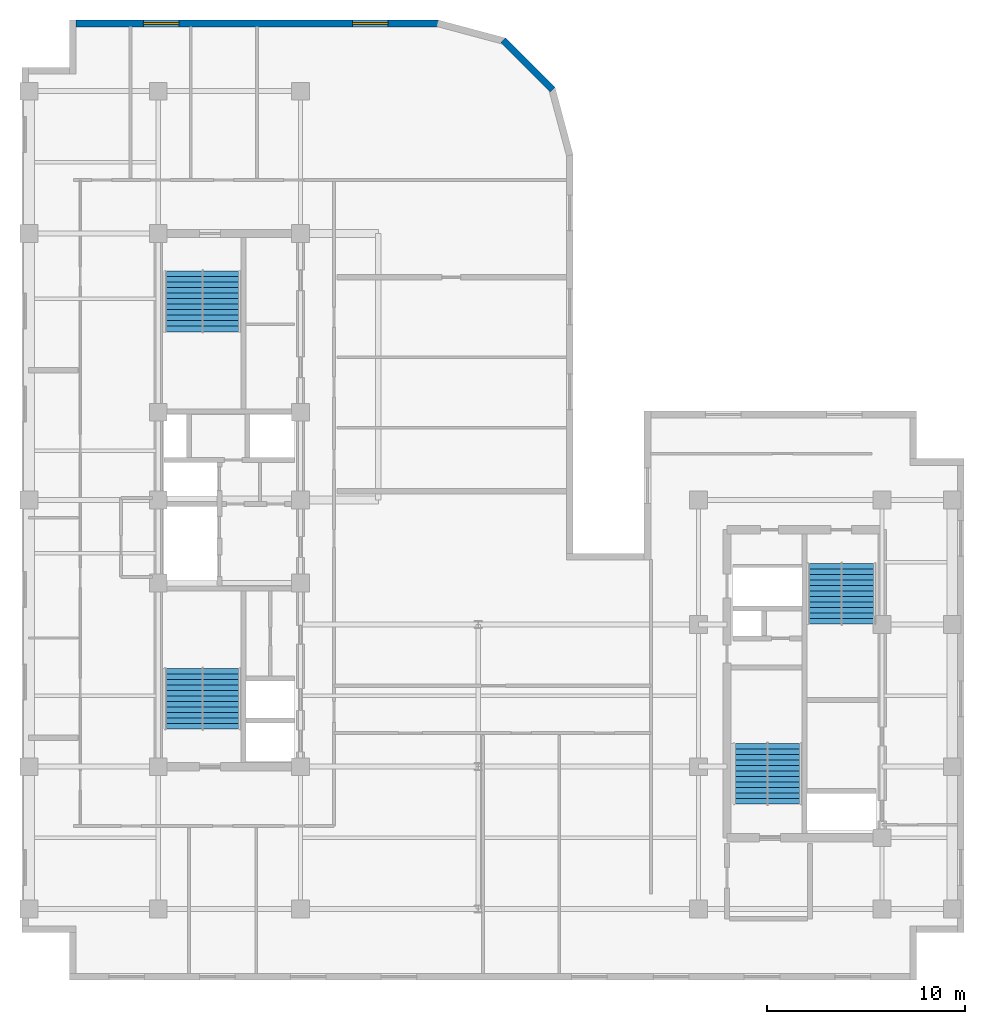
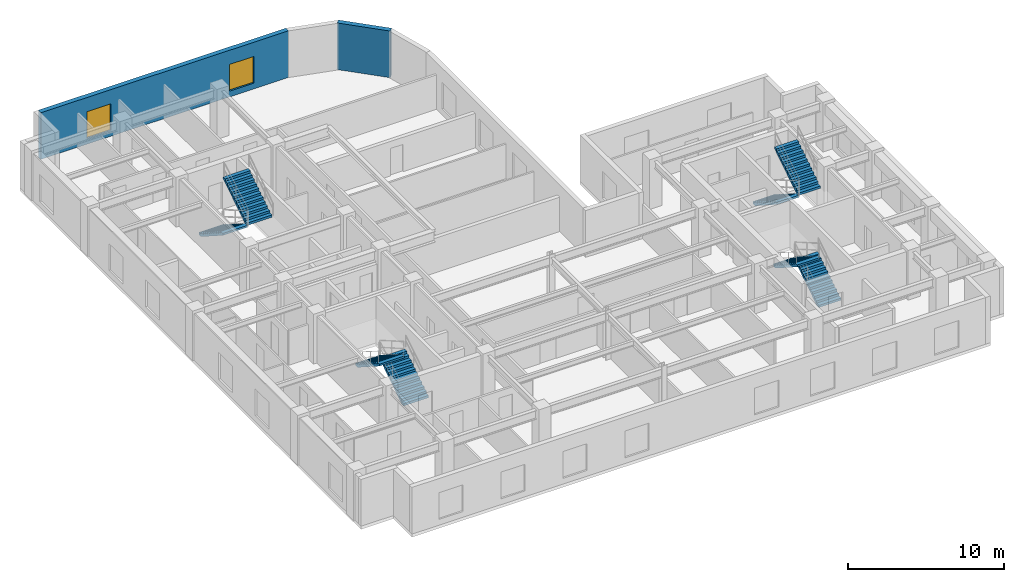
# One storey, part 7 of 10: 8 stair flights, 2 walls, 2 windows, 2 openings, 4 elements without a shape of their own.
"""IFC4 building model written with IfcOpenShell, lengths in metres."""

from ifc_helpers import new_model, entity, si_unit, converted_unit, direction, frame, origin_with_axes, origin_2d_with_axis, place, context, subcontext, project, spatial, polyline, rectangle, outline, extrude, material, layer, layer_set, type_object, element, fill, aggregate, save


model = new_model("IFC4")

# Units and contexts
model_context = context("Model", 3, precision=1e-05, world=origin_with_axes(), true_north=direction((0.0, 1.0)))
body_context = subcontext(model_context, "Body", "Model", "MODEL_VIEW")
ifc_project = project(units=[si_unit("LENGTHUNIT", "METRE"), si_unit("AREAUNIT", "SQUARE_METRE"), si_unit("VOLUMEUNIT", "CUBIC_METRE"), converted_unit("PLANEANGLEUNIT", "DEGREE", entity("IfcPlaneAngleMeasure", 0.017453292519943295), si_unit("PLANEANGLEUNIT", "RADIAN"), dimensions=[0, 0, 0, 0, 0, 0, 0]), si_unit("MASSUNIT", "GRAM", prefix="KILO"), si_unit("THERMODYNAMICTEMPERATUREUNIT", "KELVIN")], contexts=[model_context])

# Site, building, storey
site_placement = place(None, origin_with_axes())
site = spatial("IfcSite", under=ifc_project, at=site_placement, CompositionType="ELEMENT")
building_placement = place(site_placement, origin_with_axes())
building = spatial("IfcBuilding", under=site, at=building_placement, Name="Varnlund Millrace Tower", CompositionType="ELEMENT")
storey_placement = place(building_placement, frame((0.0, 0.0, 236.4), z_axis=(0.0, 0.0, 1.0), x_axis=(1.0, 0.0, 0.0)))
storey = spatial("IfcBuildingStorey", under=building, at=storey_placement, Name="L58", CompositionType="ELEMENT", Elevation=236.4)

# Wall, openings, windows
ifc_material_1 = material(Name="Precast concrete C50/60", Category="concrete")
ifc_layer = layer(ifc_material_1, 0.34, Name="Precast concrete C50/60")
ifc_layer_set = layer_set([ifc_layer], Name="Precast concrete C50/60")
wall_type = type_object("IfcWallType", Name="Type-ExtWall-Precast-Upper-340", PredefinedType="SOLIDWALL", material=ifc_layer_set)
wall_1_placement = place(storey_placement, frame((7.24, 48.43, 0.0), z_axis=(0.0, 0.0, 1.0), x_axis=(1.0, 0.0, 0.0)))
wall_1 = element("IfcWall", 1, at=wall_1_placement, inside=storey, type_object=wall_type, Name="Type-ExtWall-Precast-Upper-340", PredefinedType="SOLIDWALL", context=body_context, shape_type="SweptSolid", body=[
    extrude(outline(polyline([(0.0, -0.17), (18.36, -0.17), (18.36, 0.17), (0.0, 0.17), (0.0, -0.17)])), origin_with_axes(), (0.0, 0.0, 1.0), 3.66),
])
opening_1_placement = place(wall_1_placement, frame((4.31, 0.0, 0.45), z_axis=(0.0, 0.0, 1.0), x_axis=(1.0, 0.0, 0.0)))
opening_1 = element("IfcOpeningElement", 2, at=opening_1_placement, cuts=wall_1, Name="Opening L58:WN-21", PredefinedType="OPENING", context=body_context, shape_type="SweptSolid", body=[
    extrude(rectangle(XDim=1.8, YDim=0.36, at=origin_2d_with_axis()), origin_with_axes(), (0.0, 0.0, 1.0), 2.1),
])
opening_2_placement = place(wall_1_placement, frame((14.9, 0.0, 0.45), z_axis=(0.0, 0.0, 1.0), x_axis=(1.0, 0.0, 0.0)))
opening_2 = element("IfcOpeningElement", 3, at=opening_2_placement, cuts=wall_1, Name="Opening L58:WN-22", PredefinedType="OPENING", context=body_context, shape_type="SweptSolid", body=[
    extrude(rectangle(XDim=1.8, YDim=0.36, at=origin_2d_with_axis()), origin_with_axes(), (0.0, 0.0, 1.0), 2.1),
])
ifc_material_2 = material(Name="Argon low-e triple glazing in thermally broken bronze frame", Category="glass")
window_type = type_object("IfcWindowType", Name="Type-Window-Punched-1800X2100", PartitioningType="SINGLE_PANEL", PredefinedType="WINDOW", material=ifc_material_2)
window_1_placement = place(wall_1_placement, frame((4.31, 0.0, 0.45), z_axis=(0.0, 0.0, 1.0), x_axis=(1.0, 0.0, 0.0)))
window_1 = element("IfcWindow", 4, at=window_1_placement, inside=storey, type_object=window_type, Name="Type-Window-Punched-1800X2100", OverallHeight=2.1, OverallWidth=1.8, PredefinedType="WINDOW", context=body_context, shape_type="SweptSolid", body=[
    extrude(rectangle(XDim=1.8, YDim=0.09, at=origin_2d_with_axis()), origin_with_axes(), (0.0, 0.0, 1.0), 2.1),
])
fill(opening_1, window_1)
window_2_placement = place(wall_1_placement, frame((14.9, 0.0, 0.45), z_axis=(0.0, 0.0, 1.0), x_axis=(1.0, 0.0, 0.0)))
window_2 = element("IfcWindow", 5, at=window_2_placement, inside=storey, type_object=window_type, Name="Type-Window-Punched-1800X2100", OverallHeight=2.1, OverallWidth=1.8, PredefinedType="WINDOW", context=body_context, shape_type="SweptSolid", body=[
    extrude(rectangle(XDim=1.8, YDim=0.09, at=origin_2d_with_axis()), origin_with_axes(), (0.0, 0.0, 1.0), 2.1),
])
fill(opening_2, window_2)

# Wall
wall_2_placement = place(storey_placement, frame((28.866, 47.583, 0.0), z_axis=(0.0, 0.0, 1.0), x_axis=(0.707107, -0.707107, 0.0)))
element("IfcWall", 6, at=wall_2_placement, inside=storey, type_object=wall_type, Name="Type-ExtWall-Precast-Upper-340", PredefinedType="SOLIDWALL", context=body_context, shape_type="SweptSolid", body=[
    extrude(outline(polyline([(0.0, -0.17), (3.539777, -0.17), (3.539777, 0.17), (0.0, 0.17), (0.0, -0.17)])), origin_with_axes(), (0.0, 0.0, 1.0), 3.66),
])

# Stair, stair flights
ifc_material_3 = material(Name="Concrete C50/60", Category="concrete")
stair_type_1 = type_object("IfcStairType", Name="Type-Stair-Dogleg-165-390", PredefinedType="HALF_TURN_STAIR", material=ifc_material_3)
stair_1_placement = place(storey_placement, origin_with_axes())
stair_1 = element("IfcStair", 7, at=stair_1_placement, inside=storey, type_object=stair_type_1, Name="Type-Stair-Dogleg-165-390", PredefinedType="HALF_TURN_STAIR")
stair_flight_type_1 = type_object("IfcStairFlightType", Name="Type-Dogleg-Run-165-390", PredefinedType="STRAIGHT", material=ifc_material_1)
stair_flight_1_placement = place(storey_placement, frame((42.225, 8.9, 0.0), z_axis=(1.0, 0.0, 0.0), x_axis=(0.0, 1.0, 0.0)))
stair_flight_1 = element("IfcStairFlight", 8, at=stair_flight_1_placement, type_object=stair_flight_type_1, Name="ST-B1 flight 1", NumberOfRisers=11, NumberOfTreads=11, PredefinedType="STRAIGHT", RiserHeight=0.177273, TreadLength=0.28, context=body_context, shape_type="SweptSolid", body=[
    extrude(outline(polyline([(0.0, 0.0), (0.0, 0.177273), (0.28, 0.177273), (0.28, 0.354545), (0.56, 0.354545), (0.56, 0.531818), (0.84, 0.531818), (0.84, 0.709091), (1.12, 0.709091), (1.12, 0.886364), (1.4, 0.886364), (1.4, 1.063636), (1.68, 1.063636), (1.68, 1.240909), (1.96, 1.240909), (1.96, 1.418182), (2.24, 1.418182), (2.24, 1.595454), (2.52, 1.595454), (2.52, 1.772727), (2.8, 1.772727), (2.8, 1.95), (3.08, 1.95), (3.08, 1.8), (0.28, 0.0), (0.0, 0.0)])), origin_with_axes(), (0.0, 0.0, 1.0), 1.65),
])
stair_flight_2_placement = place(storey_placement, frame((42.275, 11.98, 1.95), z_axis=(-1.0, 0.0, 0.0), x_axis=(0.0, -1.0, 0.0)))
stair_flight_2 = element("IfcStairFlight", 9, at=stair_flight_2_placement, type_object=stair_flight_type_1, Name="ST-B1 flight 2", NumberOfRisers=11, NumberOfTreads=11, PredefinedType="STRAIGHT", RiserHeight=0.177273, TreadLength=0.28, context=body_context, shape_type="SweptSolid", body=[
    extrude(outline(polyline([(0.0, 0.0), (0.0, 0.177273), (0.28, 0.177273), (0.28, 0.354545), (0.56, 0.354545), (0.56, 0.531818), (0.84, 0.531818), (0.84, 0.709091), (1.12, 0.709091), (1.12, 0.886364), (1.4, 0.886364), (1.4, 1.063636), (1.68, 1.063636), (1.68, 1.240909), (1.96, 1.240909), (1.96, 1.418182), (2.24, 1.418182), (2.24, 1.595454), (2.52, 1.595454), (2.52, 1.772727), (2.8, 1.772727), (2.8, 1.95), (3.08, 1.95), (3.08, 1.8), (0.28, 0.0), (0.0, 0.0)])), origin_with_axes(), (0.0, 0.0, 1.0), 1.65),
])
aggregate(stair_1, [stair_flight_1, stair_flight_2])

stair_2_placement = place(storey_placement, origin_with_axes())
stair_2 = element("IfcStair", 10, at=stair_2_placement, inside=storey, type_object=stair_type_1, Name="Type-Stair-Dogleg-165-390", PredefinedType="HALF_TURN_STAIR")
stair_flight_3_placement = place(storey_placement, frame((46.025, 21.1, 0.0), z_axis=(-1.0, 0.0, 0.0), x_axis=(0.0, -1.0, 0.0)))
stair_flight_3 = element("IfcStairFlight", 11, at=stair_flight_3_placement, type_object=stair_flight_type_1, Name="ST-B2 flight 1", NumberOfRisers=11, NumberOfTreads=11, PredefinedType="STRAIGHT", RiserHeight=0.177273, TreadLength=0.28, context=body_context, shape_type="SweptSolid", body=[
    extrude(outline(polyline([(0.0, 0.0), (0.0, 0.177273), (0.28, 0.177273), (0.28, 0.354545), (0.56, 0.354545), (0.56, 0.531818), (0.84, 0.531818), (0.84, 0.709091), (1.12, 0.709091), (1.12, 0.886364), (1.4, 0.886364), (1.4, 1.063636), (1.68, 1.063636), (1.68, 1.240909), (1.96, 1.240909), (1.96, 1.418182), (2.24, 1.418182), (2.24, 1.595454), (2.52, 1.595454), (2.52, 1.772727), (2.8, 1.772727), (2.8, 1.95), (3.08, 1.95), (3.08, 1.8), (0.28, 0.0), (0.0, 0.0)])), origin_with_axes(), (0.0, 0.0, 1.0), 1.65),
])
stair_flight_4_placement = place(storey_placement, frame((45.975, 18.02, 1.95), z_axis=(1.0, 0.0, 0.0), x_axis=(0.0, 1.0, 0.0)))
stair_flight_4 = element("IfcStairFlight", 12, at=stair_flight_4_placement, type_object=stair_flight_type_1, Name="ST-B2 flight 2", NumberOfRisers=11, NumberOfTreads=11, PredefinedType="STRAIGHT", RiserHeight=0.177273, TreadLength=0.28, context=body_context, shape_type="SweptSolid", body=[
    extrude(outline(polyline([(0.0, 0.0), (0.0, 0.177273), (0.28, 0.177273), (0.28, 0.354545), (0.56, 0.354545), (0.56, 0.531818), (0.84, 0.531818), (0.84, 0.709091), (1.12, 0.709091), (1.12, 0.886364), (1.4, 0.886364), (1.4, 1.063636), (1.68, 1.063636), (1.68, 1.240909), (1.96, 1.240909), (1.96, 1.418182), (2.24, 1.418182), (2.24, 1.595454), (2.52, 1.595454), (2.52, 1.772727), (2.8, 1.772727), (2.8, 1.95), (3.08, 1.95), (3.08, 1.8), (0.28, 0.0), (0.0, 0.0)])), origin_with_axes(), (0.0, 0.0, 1.0), 1.65),
])
aggregate(stair_2, [stair_flight_3, stair_flight_4])

stair_type_2 = type_object("IfcStairType", Name="Type-Stair-Dogleg-185-390", PredefinedType="HALF_TURN_STAIR", material=ifc_material_3)
stair_3_placement = place(storey_placement, origin_with_axes())
stair_3 = element("IfcStair", 13, at=stair_3_placement, inside=storey, type_object=stair_type_2, Name="Type-Stair-Dogleg-185-390", PredefinedType="HALF_TURN_STAIR")
stair_flight_type_2 = type_object("IfcStairFlightType", Name="Type-Dogleg-Run-185-390", PredefinedType="STRAIGHT", material=ifc_material_1)
stair_flight_5_placement = place(storey_placement, frame((13.625, 12.7, 0.0), z_axis=(1.0, 0.0, 0.0), x_axis=(0.0, 1.0, 0.0)))
stair_flight_5 = element("IfcStairFlight", 14, at=stair_flight_5_placement, type_object=stair_flight_type_2, Name="ST-A1 flight 1", NumberOfRisers=11, NumberOfTreads=11, PredefinedType="STRAIGHT", RiserHeight=0.177273, TreadLength=0.28, context=body_context, shape_type="SweptSolid", body=[
    extrude(outline(polyline([(0.0, 0.0), (0.0, 0.177273), (0.28, 0.177273), (0.28, 0.354545), (0.56, 0.354545), (0.56, 0.531818), (0.84, 0.531818), (0.84, 0.709091), (1.12, 0.709091), (1.12, 0.886364), (1.4, 0.886364), (1.4, 1.063636), (1.68, 1.063636), (1.68, 1.240909), (1.96, 1.240909), (1.96, 1.418182), (2.24, 1.418182), (2.24, 1.595454), (2.52, 1.595454), (2.52, 1.772727), (2.8, 1.772727), (2.8, 1.95), (3.08, 1.95), (3.08, 1.8), (0.28, 0.0), (0.0, 0.0)])), origin_with_axes(), (0.0, 0.0, 1.0), 1.85),
])
stair_flight_6_placement = place(storey_placement, frame((13.675, 15.78, 1.95), z_axis=(-1.0, 0.0, 0.0), x_axis=(0.0, -1.0, 0.0)))
stair_flight_6 = element("IfcStairFlight", 15, at=stair_flight_6_placement, type_object=stair_flight_type_2, Name="ST-A1 flight 2", NumberOfRisers=11, NumberOfTreads=11, PredefinedType="STRAIGHT", RiserHeight=0.177273, TreadLength=0.28, context=body_context, shape_type="SweptSolid", body=[
    extrude(outline(polyline([(0.0, 0.0), (0.0, 0.177273), (0.28, 0.177273), (0.28, 0.354545), (0.56, 0.354545), (0.56, 0.531818), (0.84, 0.531818), (0.84, 0.709091), (1.12, 0.709091), (1.12, 0.886364), (1.4, 0.886364), (1.4, 1.063636), (1.68, 1.063636), (1.68, 1.240909), (1.96, 1.240909), (1.96, 1.418182), (2.24, 1.418182), (2.24, 1.595454), (2.52, 1.595454), (2.52, 1.772727), (2.8, 1.772727), (2.8, 1.95), (3.08, 1.95), (3.08, 1.8), (0.28, 0.0), (0.0, 0.0)])), origin_with_axes(), (0.0, 0.0, 1.0), 1.85),
])
aggregate(stair_3, [stair_flight_5, stair_flight_6])

stair_4_placement = place(storey_placement, origin_with_axes())
stair_4 = element("IfcStair", 16, at=stair_4_placement, inside=storey, type_object=stair_type_2, Name="Type-Stair-Dogleg-185-390", PredefinedType="HALF_TURN_STAIR")
stair_flight_7_placement = place(storey_placement, frame((13.675, 35.9, 0.0), z_axis=(-1.0, 0.0, 0.0), x_axis=(0.0, -1.0, 0.0)))
stair_flight_7 = element("IfcStairFlight", 17, at=stair_flight_7_placement, type_object=stair_flight_type_2, Name="ST-A2 flight 1", NumberOfRisers=11, NumberOfTreads=11, PredefinedType="STRAIGHT", RiserHeight=0.177273, TreadLength=0.28, context=body_context, shape_type="SweptSolid", body=[
    extrude(outline(polyline([(0.0, 0.0), (0.0, 0.177273), (0.28, 0.177273), (0.28, 0.354545), (0.56, 0.354545), (0.56, 0.531818), (0.84, 0.531818), (0.84, 0.709091), (1.12, 0.709091), (1.12, 0.886364), (1.4, 0.886364), (1.4, 1.063636), (1.68, 1.063636), (1.68, 1.240909), (1.96, 1.240909), (1.96, 1.418182), (2.24, 1.418182), (2.24, 1.595454), (2.52, 1.595454), (2.52, 1.772727), (2.8, 1.772727), (2.8, 1.95), (3.08, 1.95), (3.08, 1.8), (0.28, 0.0), (0.0, 0.0)])), origin_with_axes(), (0.0, 0.0, 1.0), 1.85),
])
stair_flight_8_placement = place(storey_placement, frame((13.625, 32.82, 1.95), z_axis=(1.0, 0.0, 0.0), x_axis=(0.0, 1.0, 0.0)))
stair_flight_8 = element("IfcStairFlight", 18, at=stair_flight_8_placement, type_object=stair_flight_type_2, Name="ST-A2 flight 2", NumberOfRisers=11, NumberOfTreads=11, PredefinedType="STRAIGHT", RiserHeight=0.177273, TreadLength=0.28, context=body_context, shape_type="SweptSolid", body=[
    extrude(outline(polyline([(0.0, 0.0), (0.0, 0.177273), (0.28, 0.177273), (0.28, 0.354545), (0.56, 0.354545), (0.56, 0.531818), (0.84, 0.531818), (0.84, 0.709091), (1.12, 0.709091), (1.12, 0.886364), (1.4, 0.886364), (1.4, 1.063636), (1.68, 1.063636), (1.68, 1.240909), (1.96, 1.240909), (1.96, 1.418182), (2.24, 1.418182), (2.24, 1.595454), (2.52, 1.595454), (2.52, 1.772727), (2.8, 1.772727), (2.8, 1.95), (3.08, 1.95), (3.08, 1.8), (0.28, 0.0), (0.0, 0.0)])), origin_with_axes(), (0.0, 0.0, 1.0), 1.85),
])
aggregate(stair_4, [stair_flight_7, stair_flight_8])

save(model, "model.ifc")
